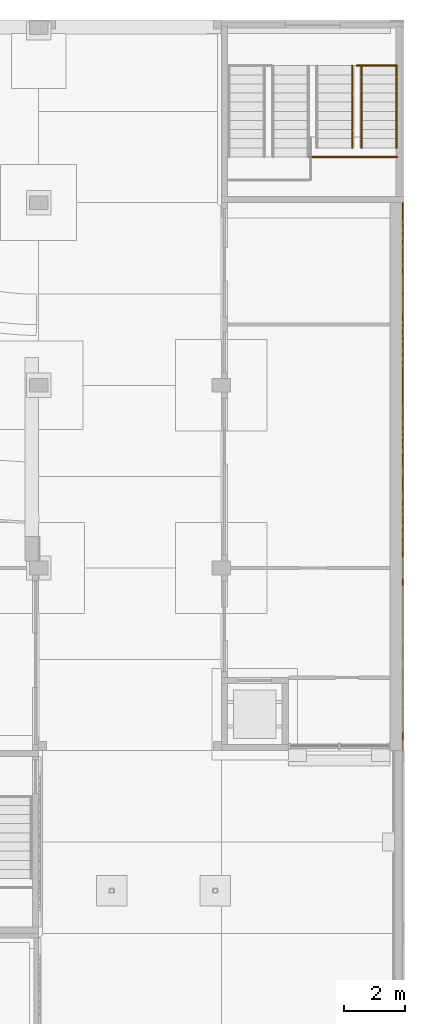
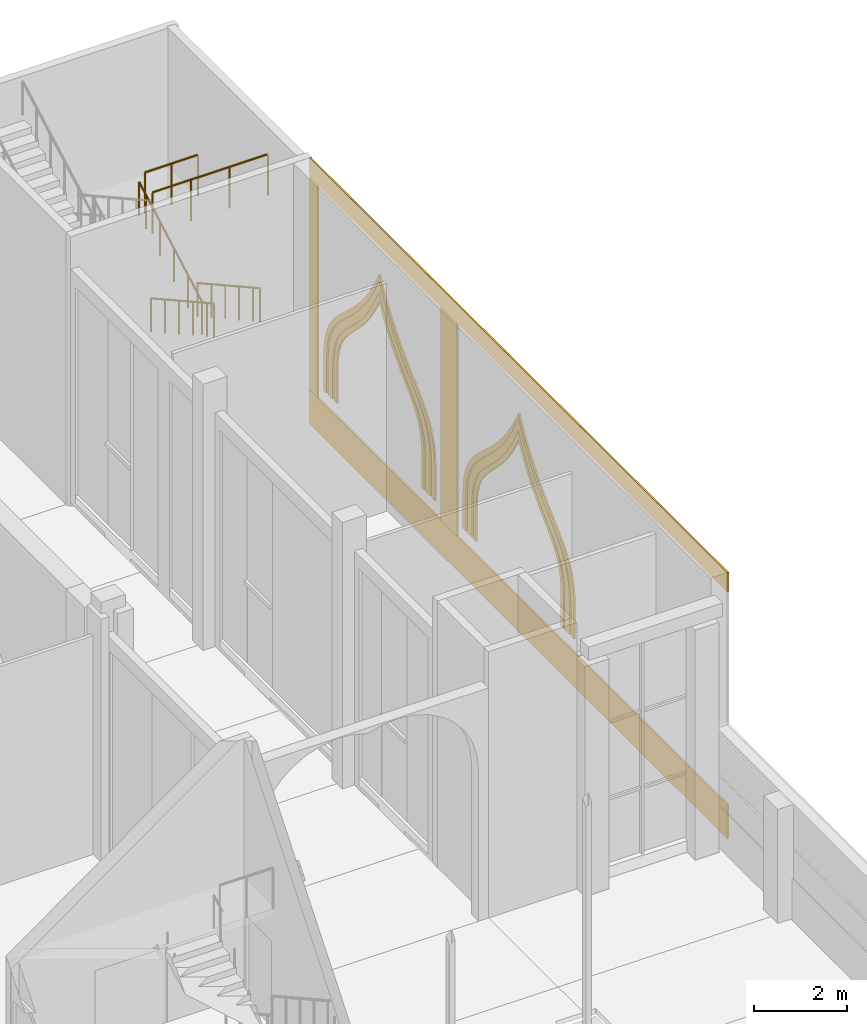
# One storey, part 93 of 95: 10 coverings, 5 railings.
"""IFC4 building model written with IfcOpenShell, lengths in metres."""

from ifc_helpers import new_model, si_unit, direction, frame, origin, origin_2d, place, context, subcontext, project, spatial, polyline, rectangle, circle, outline, extrude, material, layer, layer_set, type_object, element, save


model = new_model("IFC4")

# Units and contexts
model_context = context("Model", 3, precision=1e-05, world=origin(), true_north=direction((0.0, 1.0)))
body_context = subcontext(model_context, "Body", "Model", "MODEL_VIEW")
ifc_project = project(units=[si_unit("LENGTHUNIT", "METRE"), si_unit("AREAUNIT", "SQUARE_METRE"), si_unit("VOLUMEUNIT", "CUBIC_METRE"), si_unit("PLANEANGLEUNIT", "RADIAN"), si_unit("MASSUNIT", "GRAM", prefix="KILO")], contexts=[model_context])

# Site, building, storey
site_placement = place(None, origin())
site = spatial("IfcSite", under=ifc_project, at=site_placement, CompositionType="ELEMENT")
building_placement = place(site_placement, origin())
building = spatial("IfcBuilding", under=site, at=building_placement, Name="Saffron Lane Theatres", CompositionType="ELEMENT")
storey_placement = place(building_placement, origin())
storey = spatial("IfcBuildingStorey", under=building, at=storey_placement, Name="L00", CompositionType="ELEMENT", Elevation=0.0)

# Coverings
ifc_material_1 = material(Name="Face brick cladding, pale buff", Category="masonry")
ifc_layer_1 = layer(ifc_material_1, 0.0400390625)
ifc_layer_set_1 = layer_set([ifc_layer_1], Name="Face brick cladding, pale buff")
covering_type_1 = type_object("IfcCoveringType", Name="EX-FACE BRICK SKIN PALE BUFF 40", PredefinedType="CLADDING", material=ifc_layer_set_1)
covering_1_placement = place(storey_placement, frame((65.9599609375, 111.0, 0.0), z_axis=(0.0, 0.0, 1.0), x_axis=(0.0, 1.0, 0.0)))
element("IfcCovering", 1, at=covering_1_placement, inside=storey, type_object=covering_type_1, Name="Face brick cladding, pale buff L00", PredefinedType="CLADDING", context=body_context, shape_type="SweptSolid", body=[
    extrude(rectangle(XDim=18.0, YDim=0.0400390625, at=origin_2d()), origin(), (0.0, 0.0, 1.0), 0.89990234375),
])
covering_2_placement = place(storey_placement, frame((65.9599609375, 111.0, 6.5), z_axis=(0.0, 0.0, 1.0), x_axis=(0.0, 1.0, 0.0)))
element("IfcCovering", 2, at=covering_2_placement, inside=storey, type_object=covering_type_1, Name="Face brick cladding, pale buff L00", PredefinedType="CLADDING", context=body_context, shape_type="SweptSolid", body=[
    extrude(rectangle(XDim=18.0, YDim=0.0400390625, at=origin_2d()), origin(), (0.0, 0.0, 1.0), 0.5),
])
covering_3_placement = place(storey_placement, frame((65.9599609375, 114.0, 0.89990234375), z_axis=(0.0, 0.0, 1.0), x_axis=(0.0, 1.0, 0.0)))
element("IfcCovering", 3, at=covering_3_placement, inside=storey, type_object=covering_type_1, Name="Face brick cladding, pale buff L00", PredefinedType="CLADDING", context=body_context, shape_type="SweptSolid", body=[
    extrude(rectangle(XDim=0.699951171875, YDim=0.0400390625, at=origin_2d()), origin(), (0.0, 0.0, 1.0), 5.60009765625),
])
covering_4_placement = place(storey_placement, frame((65.9599609375, 119.824951171875, 0.89990234375), z_axis=(0.0, 0.0, 1.0), x_axis=(0.0, 1.0, 0.0)))
element("IfcCovering", 4, at=covering_4_placement, inside=storey, type_object=covering_type_1, Name="Face brick cladding, pale buff L00", PredefinedType="CLADDING", context=body_context, shape_type="SweptSolid", body=[
    extrude(rectangle(XDim=0.35009765625, YDim=0.0400390625, at=origin_2d()), origin(), (0.0, 0.0, 1.0), 5.60009765625),
])
ifc_material_2 = material(Name="Face brick cladding, pale buff", Category="masonry")
ifc_layer_2 = layer(ifc_material_2, 0.0400390625)
ifc_layer_set_2 = layer_set([ifc_layer_2], Name="Face brick cladding, pale buff")
covering_type_2 = type_object("IfcCoveringType", Name="EX-NICHE FRAME RING FACE BRICK PALE BUFF", PredefinedType="CLADDING", material=ifc_layer_set_2)
covering_5_placement = place(storey_placement, frame((65.93994140625, 109.06005859375, 2.15087890625), z_axis=(-1.0, 0.0, 0.0), x_axis=(0.0, 0.049137358924, 0.998792030384)))
element("IfcCovering", 5, at=covering_5_placement, inside=storey, type_object=covering_type_2, Name="Court wall niche ring", PredefinedType="CLADDING", context=body_context, shape_type="SweptSolid", body=[
    extrude(outline(polyline([(0.0, 0.0), (0.2434581525511307, 1.734723475976807e-18), (0.4610250809328312, 0.025228482865775993), (0.6554949729909108, 0.07285918867513211), (0.831185072962029, 0.14121310750547486), (0.9913772601130814, 0.227439986583571), (1.1415840143824045, 0.32931314243814785), (1.285586902883498, 0.4442021751554779), (1.4289223984057362, 0.5703680926853739), (1.57562791019868, 0.7054123443991328), (1.7306682446519874, 0.8459130111238047), (1.900199526656824, 0.992789410774137), (2.088650885479687, 1.141668234186046), (2.2994481574936954, 1.292625377112813), (2.53905521262832, 1.4428984789600046), (2.8117892951202217, 1.5908085298050278), (3.2277655948053288, 1.7834919337608668), (2.832711061224793, 2.0160754489918227), (2.575812260417544, 2.190041736063411), (2.3521124655206838, 2.363108046396087), (2.1571504751913277, 2.5340272413859313), (1.9842224909896318, 2.700684767416518), (1.8299266693935141, 2.8634924201556524), (1.6894260026688424, 3.01853275460896), (1.5566843301796374, 3.1673249099671215), (1.4264249384727563, 3.3069508169289725), (1.2943944826393017, 3.4354198033334438), (1.154912532783675, 3.5515447127042084), (1.004005578984078, 3.6540544135863064), (0.8358252413876509, 3.738347909555811), (0.6470176621743866, 3.805812379122698), (0.43292969719310215, 3.851299152314359), (0.19064719434280172, 3.875196031947562), (-0.7091434775604517, 3.9194628421114768), (-0.7150337224901218, 3.7997345982349193), (0.18183080088661707, 3.7556117451772284), (0.4141156296046592, 3.732206718990291), (0.6141445183530868, 3.689122658452513), (0.788377419861202, 3.628486113605838), (0.9426666311820339, 3.5500091702378174), (1.0822528764921697, 3.4558783605179877), (1.213987828537848, 3.3462454759529123), (1.3401620701181043, 3.2229533143972655), (1.4676512668302135, 3.0866413587786963), (1.6004409250214928, 2.938824586262706), (1.7427963860263584, 2.781737514720906), (1.89894700190267, 2.6168831248932793), (2.075816423949777, 2.4458762825496456), (2.2764387685238634, 2.2707676419786673), (2.505982781248404, 2.0922806610866234), (2.7685419363003834, 1.914124928433901), (2.970020678761497, 1.7961721555341075), (2.7579370961418737, 1.698565320313989), (2.4791587737886442, 1.5470416523127277), (2.2332516366566293, 1.392923084024274), (2.0163621390792184, 1.2373769410990973), (1.8235614639433089, 1.0845566798417767), (1.6519834448499797, 0.9358254859112508), (1.49489637330818, 0.7934700249063853), (1.3482388472173108, 0.659401156034798), (1.20798545375333, 0.5362612756357352), (1.0703186365261823, 0.4259492464912962), (0.9284587013427412, 0.3297763513581751), (0.7803070082122705, 0.24980132375038333), (0.6190598700906065, 0.1868477550035296), (0.4397164913115353, 0.14360602715893486), (0.2364245748220277, 0.12036405442904742), (0.0029640964031553557, 0.11987220098278169), (-0.8939004269735834, 0.16399505404047265), (-0.8997906719032535, 0.04426681016391508), (0.0, 0.0)])), origin(), (0.0, 0.0, -1.0), 0.0400390625),
])
covering_6_placement = place(storey_placement, frame((65.93994140625, 108.800048828125, 2.153076171875), z_axis=(-1.0, 0.0, 0.0), x_axis=(0.0, 0.052850824381, 0.998602418564)))
element("IfcCovering", 6, at=covering_6_placement, inside=storey, type_object=covering_type_2, Name="Court wall niche ring", PredefinedType="CLADDING", context=body_context, shape_type="SweptSolid", body=[
    extrude(outline(polyline([(0.0, 0.0), (0.2633074467244505, 0.0), (0.5011775819661587, 0.027505871452212175), (0.7152524864888075, 0.08120829603058993), (0.9086112315010562, 0.15923293837212052), (1.0849739652342758, 0.25796015808373945), (1.24951072939811, 0.37344909715401087), (1.4064937862275997, 0.5032733062162519), (1.5611318865322767, 0.6442233255148111), (1.7204048922183166, 0.7942183711539379), (1.8878923763648647, 0.9516021011226223), (2.0695861001704214, 1.1141015442397035), (2.2717345272853784, 1.2796746257093192), (2.4978785216889916, 1.4459336052646752), (2.752894071753157, 1.6126204222398495), (3.0451722237624352, 1.7766016768649358), (3.545308055566688, 2.0153953976478385), (3.073236321181458, 2.3068654123085715), (2.7998353068843773, 2.499562707087641), (2.5638388278986666, 2.692236233121165), (2.35650745604077, 2.8814368058769912), (2.1729652029387934, 3.067422486021041), (2.009438950014148, 3.2481926242854025), (1.8594995911502994, 3.4223761036056124), (1.7169489166160081, 3.5883451044653136), (1.5780525169325759, 3.74483037585238), (1.4356498877276818, 3.8904995098022344), (1.2842226053926875, 4.022710780024254), (1.1192661530932222, 4.139502246350416), (0.9352233981207594, 4.237500784234314), (0.728012907311637, 4.313499650348356), (0.49437496699105044, 4.365959988195231), (0.2325384660623556, 4.393753121915035), (-0.669275583319717, 4.441481442077317), (-0.6798431675892249, 4.241809718248197), (0.21587589632797843, 4.194403973918317), (0.4619170471811973, 4.168424735037138), (0.6716252935936389, 4.121142588184094), (0.8534188461304864, 4.0545568244130665), (1.014149894578986, 3.968793757628952), (1.1607222408595677, 3.8649548994110297), (1.297666207873195, 3.7454897887645124), (1.4317178581074486, 3.608330544826945), (1.5667277283406915, 3.456940613377808), (1.7073925226927051, 3.292293833877449), (1.8601542503133226, 3.116005122808928), (2.0275541296548605, 2.929895845188042), (2.2176001906450886, 2.737453894646832), (2.432615658384322, 2.5410011380715813), (2.6794527226598053, 2.340663889367188), (2.9621799136019056, 2.1394050924426464), (3.127923450932433, 2.0374853906507657), (2.9523478022302756, 1.9536299354734281), (2.6499563885449153, 1.7833384184595322), (2.3833518772598032, 1.6101749578767302), (2.1488012171102713, 1.4375153946994919), (1.9395038304422583, 1.2662086126972976), (1.7533945528213721, 1.09880873335576), (1.5829298635185025, 0.9406046421122496), (1.4256201562145168, 0.7907501716253487), (1.275384706691873, 0.6544567891326514), (1.1276558411637512, 0.5331886493597573), (0.9788152774511176, 0.42787069606189243), (0.8221011469997994, 0.3400832112643215), (0.6532153815081632, 0.2717650454965378), (0.4654090154553319, 0.22474028020240072), (0.25188147118724413, 0.1998577991513908), (0.004472598804638406, 0.19999429966152327), (-0.8912464651125649, 0.2474000439914031), (-0.9018140493820727, 0.047728320162282394), (0.0, 0.0)])), origin(), (0.0, 0.0, -1.0), 0.0400390625),
])
covering_7_placement = place(storey_placement, frame((65.93994140625, 108.60009765625, 2.152099609375), z_axis=(-1.0, 0.0, 0.0), x_axis=(0.0, 0.053339022878, 0.998576461088)))
element("IfcCovering", 7, at=covering_7_placement, inside=storey, type_object=covering_type_2, Name="Court wall niche ring", PredefinedType="CLADDING", context=body_context, shape_type="SweptSolid", body=[
    extrude(outline(polyline([(0.0, 0.0), (0.279206054433033, -1.734723475976807e-18), (0.5302189974084848, 0.030600087807743755), (0.7546412027165392, 0.08975876321599356), (0.957718918144801, 0.17499539960045762), (1.143645085821301, 0.28241870073845177), (1.3166126478740696, 0.4081373704072918), (1.483434788357691, 0.5515429932989544), (1.6489446730874813, 0.7069986549543668), (1.820160212532198, 0.8731515385991627), (1.9996980194744525, 1.048639434380536), (2.1966399198910627, 1.229554394709478), (2.4138853863131065, 1.4152525667547606), (2.6580522694594353, 1.6014686389885575), (2.935479189444375, 1.7878640336289293), (3.2496146869296125, 1.9703427280390193), (3.720787085433957, 2.204577498130685), (3.2772478428247567, 2.487671646600571), (2.9843385678225935, 2.7025756747424743), (2.728346225878845, 2.9174636919552195), (2.5054576541051206, 3.1296055145986967), (2.3091779657185065, 3.336414203479002), (2.132628865552507, 3.537279208497558), (1.972806703296986, 3.73089403783503), (1.8202650307484223, 3.91434043280346), (1.6723091017899112, 4.087517844767732), (1.52166056150505, 4.2469032288758095), (1.3630695329622904, 4.390332120984516), (1.189696787662284, 4.517925350239234), (0.9968024501369451, 4.623334903447199), (0.7799591782553628, 4.706063801367329), (0.5336342353375227, 4.763229222834873), (0.25601689203512473, 4.792971978755942), (-0.6447985434431664, 4.8410890904583725), (-0.6522602768681983, 4.701395654861875), (0.24441067622764878, 4.653499920939942), (0.5103780405162042, 4.625357404018502), (0.7388185620849336, 4.572081143983088), (0.9381774723673122, 4.4961539022485475), (1.1141401455679993, 4.398738926188011), (1.274163618572807, 4.282127273024531), (1.4241379920005675, 4.146737788664895), (1.5679899995971691, 3.992849703713629), (1.7132417893603356, 3.8239730408003876), (1.8648603784731472, 3.6415539070467675), (2.026567774267319, 3.4466159345236367), (2.2048718857481466, 3.2419898555062194), (2.4069729344977393, 3.029735956358632), (2.635747977746354, 2.8133678888544744), (2.8973178869717606, 2.59304768359683), (3.197946778097935, 2.371619095083306), (3.4372557318585164, 2.2197223427612474), (3.1831274890269294, 2.0941825685408717), (2.8606212642985676, 1.9060387804363907), (2.577069843691915, 1.7148362644254675), (2.3265476890649355, 1.5240698861248223), (2.102986017829387, 1.3345527872566518), (1.903898439426481, 1.1500851084869645), (1.7223451767217532, 0.9734824250780479), (1.5521568984918466, 0.808252624869004), (1.3897418196288687, 0.6558100066021677), (1.2303152340630905, 0.5181215662944257), (1.0667717049130208, 0.3994786599183697), (0.8952365873223002, 0.3005772291947563), (0.7098979140063897, 0.22246118670472007), (0.5035851369718871, 0.16820292301425147), (0.2707691486827202, 0.13956470772606377), (0.003317251042587765, 0.13991481337699654), (-0.8933537020532594, 0.18781054729892882), (-0.9008154354782912, 0.04811711170243062), (0.0, 0.0)])), origin(), (0.0, 0.0, -1.0), 0.0400390625),
])
covering_8_placement = place(storey_placement, frame((65.93994140625, 115.06005859375, 2.15087890625), z_axis=(-1.0, 0.0, 0.0), x_axis=(0.0, 0.049137358924, 0.998792030384)))
element("IfcCovering", 8, at=covering_8_placement, inside=storey, type_object=covering_type_2, Name="Court wall niche ring", PredefinedType="CLADDING", context=body_context, shape_type="SweptSolid", body=[
    extrude(outline(polyline([(0.0, 0.0), (0.2434581525511307, 1.734723475976807e-18), (0.4610250809328312, 0.025228482865775993), (0.6554949729909108, 0.07285918867513211), (0.831185072962029, 0.14121310750547486), (0.9913772601130814, 0.227439986583571), (1.1415840143824045, 0.32931314243814785), (1.285586902883498, 0.4442021751554779), (1.4289223984057362, 0.5703680926853739), (1.57562791019868, 0.7054123443991328), (1.7306682446519874, 0.8459130111238047), (1.900199526656824, 0.992789410774137), (2.088650885479687, 1.141668234186046), (2.2994481574936954, 1.292625377112813), (2.53905521262832, 1.4428984789600046), (2.8117892951202217, 1.5908085298050278), (3.2277655948053288, 1.7834919337608668), (2.832711061224793, 2.0160754489918227), (2.575812260417544, 2.190041736063411), (2.3521124655206838, 2.363108046396087), (2.1571504751913277, 2.5340272413859313), (1.9842224909896318, 2.700684767416518), (1.8299266693935141, 2.8634924201556524), (1.6894260026688424, 3.01853275460896), (1.5566843301796374, 3.1673249099671215), (1.4264249384727563, 3.3069508169289725), (1.2943944826393017, 3.4354198033334438), (1.154912532783675, 3.5515447127042084), (1.004005578984078, 3.6540544135863064), (0.8358252413876509, 3.738347909555811), (0.6470176621743866, 3.805812379122698), (0.43292969719310215, 3.851299152314359), (0.19064719434280172, 3.875196031947562), (-0.7091434775604517, 3.9194628421114768), (-0.7150337224901218, 3.7997345982349193), (0.18183080088661707, 3.7556117451772284), (0.4141156296046592, 3.732206718990291), (0.6141445183530868, 3.689122658452513), (0.788377419861202, 3.628486113605838), (0.9426666311820339, 3.5500091702378174), (1.0822528764921697, 3.4558783605179877), (1.213987828537848, 3.3462454759529123), (1.3401620701181043, 3.2229533143972655), (1.4676512668302135, 3.0866413587786963), (1.6004409250214928, 2.938824586262706), (1.7427963860263584, 2.781737514720906), (1.89894700190267, 2.6168831248932793), (2.075816423949777, 2.4458762825496456), (2.2764387685238634, 2.2707676419786673), (2.505982781248404, 2.0922806610866234), (2.7685419363003834, 1.914124928433901), (2.970020678761497, 1.7961721555341075), (2.7579370961418737, 1.698565320313989), (2.4791587737886442, 1.5470416523127277), (2.2332516366566293, 1.392923084024274), (2.0163621390792184, 1.2373769410990973), (1.8235614639433089, 1.0845566798417767), (1.6519834448499797, 0.9358254859112508), (1.49489637330818, 0.7934700249063853), (1.3482388472173108, 0.659401156034798), (1.20798545375333, 0.5362612756357352), (1.0703186365261823, 0.4259492464912962), (0.9284587013427412, 0.3297763513581751), (0.7803070082122705, 0.24980132375038333), (0.6190598700906065, 0.1868477550035296), (0.4397164913115353, 0.14360602715893486), (0.2364245748220277, 0.12036405442904742), (0.0029640964031553557, 0.11987220098278169), (-0.8939004269735834, 0.16399505404047265), (-0.8997906719032535, 0.04426681016391508), (0.0, 0.0)])), origin(), (0.0, 0.0, -1.0), 0.0400390625),
])
covering_9_placement = place(storey_placement, frame((65.93994140625, 114.800048828125, 2.153076171875), z_axis=(-1.0, 0.0, 0.0), x_axis=(0.0, 0.052850824381, 0.998602418564)))
element("IfcCovering", 9, at=covering_9_placement, inside=storey, type_object=covering_type_2, Name="Court wall niche ring", PredefinedType="CLADDING", context=body_context, shape_type="SweptSolid", body=[
    extrude(outline(polyline([(0.0, 0.0), (0.2633074467244505, 0.0), (0.5011775819661587, 0.027505871452212175), (0.7152524864888075, 0.08120829603058993), (0.9086112315010562, 0.15923293837212052), (1.0849739652342758, 0.25796015808373945), (1.24951072939811, 0.37344909715401087), (1.4064937862275997, 0.5032733062162519), (1.5611318865322767, 0.6442233255148111), (1.7204048922183166, 0.7942183711539379), (1.8878923763648647, 0.9516021011226223), (2.0695861001704214, 1.1141015442397035), (2.2717345272853784, 1.2796746257093192), (2.4978785216889916, 1.4459336052646752), (2.752894071753157, 1.6126204222398495), (3.0451722237624352, 1.7766016768649358), (3.545308055566688, 2.0153953976478385), (3.073236321181458, 2.3068654123085715), (2.7998353068843773, 2.499562707087641), (2.5638388278986666, 2.692236233121165), (2.35650745604077, 2.8814368058769912), (2.1729652029387934, 3.067422486021041), (2.009438950014148, 3.2481926242854025), (1.8594995911502994, 3.4223761036056124), (1.7169489166160081, 3.5883451044653136), (1.5780525169325759, 3.74483037585238), (1.4356498877276818, 3.8904995098022344), (1.2842226053926875, 4.022710780024254), (1.1192661530932222, 4.139502246350416), (0.9352233981207594, 4.237500784234314), (0.728012907311637, 4.313499650348356), (0.49437496699105044, 4.365959988195231), (0.2325384660623556, 4.393753121915035), (-0.669275583319717, 4.441481442077317), (-0.6798431675892249, 4.241809718248197), (0.21587589632797843, 4.194403973918317), (0.4619170471811973, 4.168424735037138), (0.6716252935936389, 4.121142588184094), (0.8534188461304864, 4.0545568244130665), (1.014149894578986, 3.968793757628952), (1.1607222408595677, 3.8649548994110297), (1.297666207873195, 3.7454897887645124), (1.4317178581074486, 3.608330544826945), (1.5667277283406915, 3.456940613377808), (1.7073925226927051, 3.292293833877449), (1.8601542503133226, 3.116005122808928), (2.0275541296548605, 2.929895845188042), (2.2176001906450886, 2.737453894646832), (2.432615658384322, 2.5410011380715813), (2.6794527226598053, 2.340663889367188), (2.9621799136019056, 2.1394050924426464), (3.127923450932433, 2.0374853906507657), (2.9523478022302756, 1.9536299354734281), (2.6499563885449153, 1.7833384184595322), (2.3833518772598032, 1.6101749578767302), (2.1488012171102713, 1.4375153946994919), (1.9395038304422583, 1.2662086126972976), (1.7533945528213721, 1.09880873335576), (1.5829298635185025, 0.9406046421122496), (1.4256201562145168, 0.7907501716253487), (1.275384706691873, 0.6544567891326514), (1.1276558411637512, 0.5331886493597573), (0.9788152774511176, 0.42787069606189243), (0.8221011469997994, 0.3400832112643215), (0.6532153815081632, 0.2717650454965378), (0.4654090154553319, 0.22474028020240072), (0.25188147118724413, 0.1998577991513908), (0.004472598804638406, 0.19999429966152327), (-0.8912464651125649, 0.2474000439914031), (-0.9018140493820727, 0.047728320162282394), (0.0, 0.0)])), origin(), (0.0, 0.0, -1.0), 0.0400390625),
])
covering_10_placement = place(storey_placement, frame((65.93994140625, 114.60009765625, 2.152099609375), z_axis=(-1.0, 0.0, 0.0), x_axis=(0.0, 0.053339022878, 0.998576461088)))
element("IfcCovering", 10, at=covering_10_placement, inside=storey, type_object=covering_type_2, Name="Court wall niche ring", PredefinedType="CLADDING", context=body_context, shape_type="SweptSolid", body=[
    extrude(outline(polyline([(0.0, 0.0), (0.279206054433033, -1.734723475976807e-18), (0.5302189974084848, 0.030600087807743755), (0.7546412027165392, 0.08975876321599356), (0.957718918144801, 0.17499539960045762), (1.143645085821301, 0.28241870073845177), (1.3166126478740696, 0.4081373704072918), (1.483434788357691, 0.5515429932989544), (1.6489446730874813, 0.7069986549543668), (1.820160212532198, 0.8731515385991627), (1.9996980194744525, 1.048639434380536), (2.1966399198910627, 1.229554394709478), (2.4138853863131065, 1.4152525667547606), (2.6580522694594353, 1.6014686389885575), (2.935479189444375, 1.7878640336289293), (3.2496146869296125, 1.9703427280390193), (3.720787085433957, 2.204577498130685), (3.2772478428247567, 2.487671646600571), (2.9843385678225935, 2.7025756747424743), (2.728346225878845, 2.9174636919552195), (2.5054576541051206, 3.1296055145986967), (2.3091779657185065, 3.336414203479002), (2.132628865552507, 3.537279208497558), (1.972806703296986, 3.73089403783503), (1.8202650307484223, 3.91434043280346), (1.6723091017899112, 4.087517844767732), (1.52166056150505, 4.2469032288758095), (1.3630695329622904, 4.390332120984516), (1.189696787662284, 4.517925350239234), (0.9968024501369451, 4.623334903447199), (0.7799591782553628, 4.706063801367329), (0.5336342353375227, 4.763229222834873), (0.25601689203512473, 4.792971978755942), (-0.6447985434431664, 4.8410890904583725), (-0.6522602768681983, 4.701395654861875), (0.24441067622764878, 4.653499920939942), (0.5103780405162042, 4.625357404018502), (0.7388185620849336, 4.572081143983088), (0.9381774723673122, 4.4961539022485475), (1.1141401455679993, 4.398738926188011), (1.274163618572807, 4.282127273024531), (1.4241379920005675, 4.146737788664895), (1.5679899995971691, 3.992849703713629), (1.7132417893603356, 3.8239730408003876), (1.8648603784731472, 3.6415539070467675), (2.026567774267319, 3.4466159345236367), (2.2048718857481466, 3.2419898555062194), (2.4069729344977393, 3.029735956358632), (2.635747977746354, 2.8133678888544744), (2.8973178869717606, 2.59304768359683), (3.197946778097935, 2.371619095083306), (3.4372557318585164, 2.2197223427612474), (3.1831274890269294, 2.0941825685408717), (2.8606212642985676, 1.9060387804363907), (2.577069843691915, 1.7148362644254675), (2.3265476890649355, 1.5240698861248223), (2.102986017829387, 1.3345527872566518), (1.903898439426481, 1.1500851084869645), (1.7223451767217532, 0.9734824250780479), (1.5521568984918466, 0.808252624869004), (1.3897418196288687, 0.6558100066021677), (1.2303152340630905, 0.5181215662944257), (1.0667717049130208, 0.3994786599183697), (0.8952365873223002, 0.3005772291947563), (0.7098979140063897, 0.22246118670472007), (0.5035851369718871, 0.16820292301425147), (0.2707691486827202, 0.13956470772606377), (0.003317251042587765, 0.13991481337699654), (-0.8933537020532594, 0.18781054729892882), (-0.9008154354782912, 0.04811711170243062), (0.0, 0.0)])), origin(), (0.0, 0.0, -1.0), 0.0400390625),
])

# Railings
ifc_material_3 = material(Name="Steel Grade 350", Category="steel")
railing_type_1 = type_object("IfcRailingType", Name="VC-GUARD 1100", PredefinedType="GUARDRAIL", material=ifc_material_3)
railing_1_placement = place(storey_placement, frame((65.77001953125, 121.5, 5.166748046875)))
element("IfcRailing", 11, at=railing_1_placement, inside=storey, type_object=railing_type_1, Name="East Wing Street Stair landing guard 1N2s", PredefinedType="GUARDRAIL", context=body_context, shape_type="SweptSolid", body=[
    extrude(circle(Radius=0.02392578125, at=origin_2d()), frame((0.0, 0.0, 1.076171875), z_axis=(-1.0, 0.0, 0.0), x_axis=(0.0, -1.0, 0.0)), (0.0, 0.0, 1.0), 2.8701171875),
    extrude(circle(Radius=0.02099609375, at=origin_2d()), origin(), (0.0, 0.0, 1.0), 1.052001953125),
    extrude(circle(Radius=0.02099609375, at=origin_2d()), frame((-0.956787109375, 0.0, 0.0)), (0.0, 0.0, 1.0), 1.052001953125),
    extrude(circle(Radius=0.02099609375, at=origin_2d()), frame((-1.913330078125, 0.0, 0.0)), (0.0, 0.0, 1.0), 1.052001953125),
    extrude(circle(Radius=0.02099609375, at=origin_2d()), frame((-2.8701171875, 0.0, 0.0)), (0.0, 0.0, 1.0), 1.052001953125),
])
railing_2_placement = place(storey_placement, frame((65.77001953125, 124.5, 3.333251953125)))
element("IfcRailing", 12, at=railing_2_placement, inside=storey, type_object=railing_type_1, Name="East Wing Street Stair landing guard 1S2w", PredefinedType="GUARDRAIL", context=body_context, shape_type="SweptSolid", body=[
    extrude(circle(Radius=0.02392578125, at=origin_2d()), frame((0.0, 0.0, 1.076171875), z_axis=(-1.0, 0.0, 0.0), x_axis=(0.0, -1.0, 0.0)), (0.0, 0.0, 1.0), 1.320068359375),
    extrude(circle(Radius=0.02099609375, at=origin_2d()), origin(), (0.0, 0.0, 1.0), 1.052001953125),
    extrude(circle(Radius=0.02099609375, at=origin_2d()), frame((-0.66015625, 0.0, 0.0)), (0.0, 0.0, 1.0), 1.052001953125),
    extrude(circle(Radius=0.02099609375, at=origin_2d()), frame((-1.320068359375, 0.0, 0.0)), (0.0, 0.0, 1.0), 1.052001953125),
])
ifc_material_4 = material(Name="Steel Grade 350", Category="steel")
railing_type_2 = type_object("IfcRailingType", Name="VC-HANDRAIL 900", PredefinedType="HANDRAIL", material=ifc_material_4)
railing_3_placement = place(storey_placement, frame((65.75, 124.5, 0.166748046875)))
element("IfcRailing", 13, at=railing_3_placement, inside=storey, type_object=railing_type_2, Name="East Wing Street Stair handrail 1.1a", PredefinedType="HANDRAIL", context=body_context, shape_type="SweptSolid", body=[
    extrude(circle(Radius=0.02392578125, at=origin_2d()), frame((0.0, 0.0, 0.8759765625), z_axis=(0.0, -0.874241147926, 0.485491931212), x_axis=(1.0, 0.0, 0.0)), (0.0, 0.0, 1.0), 0.6865234375),
    extrude(circle(Radius=0.02392578125, at=origin_2d()), frame((0.0, -0.60009765625, 1.208984375), z_axis=(0.0, -0.874157276122, 0.485642931179), x_axis=(1.0, 0.0, 0.0)), (0.0, 0.0, 1.0), 0.686279296875),
    extrude(circle(Radius=0.02392578125, at=origin_2d()), frame((0.0, -1.199951171875, 1.54248046875), z_axis=(0.0, -0.874090171491, 0.485763699861), x_axis=(1.0, 0.0, 0.0)), (0.0, 0.0, 1.0), 0.6865234375),
    extrude(circle(Radius=0.02392578125, at=origin_2d()), frame((0.0, -1.800048828125, 1.8759765625), z_axis=(0.0, -0.874157276122, 0.485642931179), x_axis=(1.0, 0.0, 0.0)), (0.0, 0.0, 1.0), 0.686279296875),
    extrude(circle(Radius=0.02392578125, at=origin_2d()), frame((0.0, -2.39990234375, 2.208984375), z_axis=(0.0, -0.874090171491, 0.485763699861), x_axis=(1.0, 0.0, 0.0)), (0.0, 0.0, 1.0), 0.34326171875),
    extrude(circle(Radius=0.02099609375, at=origin_2d()), origin(), (0.0, 0.0, 1.0), 0.851806640625),
    extrude(circle(Radius=0.02099609375, at=origin_2d()), frame((0.0, -0.60009765625, 0.333251953125)), (0.0, 0.0, 1.0), 0.851806640625),
    extrude(circle(Radius=0.02099609375, at=origin_2d()), frame((0.0, -1.199951171875, 0.66650390625)), (0.0, 0.0, 1.0), 0.851806640625),
    extrude(circle(Radius=0.02099609375, at=origin_2d()), frame((0.0, -1.800048828125, 1.0)), (0.0, 0.0, 1.0), 0.851806640625),
    extrude(circle(Radius=0.02099609375, at=origin_2d()), frame((0.0, -2.39990234375, 1.333251953125)), (0.0, 0.0, 1.0), 0.851806640625),
    extrude(circle(Radius=0.02099609375, at=origin_2d()), frame((0.0, -2.699951171875, 1.5)), (0.0, 0.0, 1.0), 0.851806640625),
])
railing_4_placement = place(storey_placement, frame((64.60009765625, 124.5, 0.166748046875)))
element("IfcRailing", 14, at=railing_4_placement, inside=storey, type_object=railing_type_2, Name="East Wing Street Stair handrail 1.1b", PredefinedType="HANDRAIL", context=body_context, shape_type="SweptSolid", body=[
    extrude(circle(Radius=0.02392578125, at=origin_2d()), frame((0.0, 0.0, 0.8759765625), z_axis=(0.0, -0.874241147926, 0.485491931212), x_axis=(1.0, 0.0, 0.0)), (0.0, 0.0, 1.0), 0.6865234375),
    extrude(circle(Radius=0.02392578125, at=origin_2d()), frame((0.0, -0.60009765625, 1.208984375), z_axis=(0.0, -0.874157276122, 0.485642931179), x_axis=(1.0, 0.0, 0.0)), (0.0, 0.0, 1.0), 0.686279296875),
    extrude(circle(Radius=0.02392578125, at=origin_2d()), frame((0.0, -1.199951171875, 1.54248046875), z_axis=(0.0, -0.874090171491, 0.485763699861), x_axis=(1.0, 0.0, 0.0)), (0.0, 0.0, 1.0), 0.6865234375),
    extrude(circle(Radius=0.02392578125, at=origin_2d()), frame((0.0, -1.800048828125, 1.8759765625), z_axis=(0.0, -0.874157276122, 0.485642931179), x_axis=(1.0, 0.0, 0.0)), (0.0, 0.0, 1.0), 0.686279296875),
    extrude(circle(Radius=0.02392578125, at=origin_2d()), frame((0.0, -2.39990234375, 2.208984375), z_axis=(0.0, -0.874090171491, 0.485763699861), x_axis=(1.0, 0.0, 0.0)), (0.0, 0.0, 1.0), 0.34326171875),
    extrude(circle(Radius=0.02099609375, at=origin_2d()), origin(), (0.0, 0.0, 1.0), 0.851806640625),
    extrude(circle(Radius=0.02099609375, at=origin_2d()), frame((0.0, -0.60009765625, 0.333251953125)), (0.0, 0.0, 1.0), 0.851806640625),
    extrude(circle(Radius=0.02099609375, at=origin_2d()), frame((0.0, -1.199951171875, 0.66650390625)), (0.0, 0.0, 1.0), 0.851806640625),
    extrude(circle(Radius=0.02099609375, at=origin_2d()), frame((0.0, -1.800048828125, 1.0)), (0.0, 0.0, 1.0), 0.851806640625),
    extrude(circle(Radius=0.02099609375, at=origin_2d()), frame((0.0, -2.39990234375, 1.333251953125)), (0.0, 0.0, 1.0), 0.851806640625),
    extrude(circle(Radius=0.02099609375, at=origin_2d()), frame((0.0, -2.699951171875, 1.5)), (0.0, 0.0, 1.0), 0.851806640625),
])
railing_5_placement = place(storey_placement, frame((64.300048828125, 121.800048828125, 1.833251953125)))
element("IfcRailing", 15, at=railing_5_placement, inside=storey, type_object=railing_type_2, Name="East Wing Street Stair handrail 1.2a", PredefinedType="HANDRAIL", context=body_context, shape_type="SweptSolid", body=[
    extrude(circle(Radius=0.02392578125, at=origin_2d()), frame((0.0, 0.0, 0.8759765625), z_axis=(0.0, 0.874006220275, 0.485914732151), x_axis=(-1.0, 0.0, 0.0)), (0.0, 0.0, 1.0), 0.686279296875),
    extrude(circle(Radius=0.02392578125, at=origin_2d()), frame((0.0, 0.599853515625, 1.20947265625), z_axis=(0.0, 0.874241147926, 0.485491931212), x_axis=(-1.0, 0.0, 0.0)), (0.0, 0.0, 1.0), 0.6865234375),
    extrude(circle(Radius=0.02392578125, at=origin_2d()), frame((0.0, 1.199951171875, 1.54248046875), z_axis=(0.0, 0.874241147926, 0.485491931212), x_axis=(-1.0, 0.0, 0.0)), (0.0, 0.0, 1.0), 0.6865234375),
    extrude(circle(Radius=0.02392578125, at=origin_2d()), frame((0.0, 1.800048828125, 1.8759765625), z_axis=(0.0, 0.874006220275, 0.485914732151), x_axis=(-1.0, 0.0, 0.0)), (0.0, 0.0, 1.0), 0.686279296875),
    extrude(circle(Radius=0.02392578125, at=origin_2d()), frame((0.0, 2.39990234375, 2.20947265625), z_axis=(0.0, 0.87439209197, 0.485220021744), x_axis=(-1.0, 0.0, 0.0)), (0.0, 0.0, 1.0), 0.34326171875),
    extrude(circle(Radius=0.02099609375, at=origin_2d()), origin(), (0.0, 0.0, 1.0), 0.851806640625),
    extrude(circle(Radius=0.02099609375, at=origin_2d()), frame((0.0, 0.599853515625, 0.33349609375)), (0.0, 0.0, 1.0), 0.851806640625),
    extrude(circle(Radius=0.02099609375, at=origin_2d()), frame((0.0, 1.199951171875, 0.666748046875)), (0.0, 0.0, 1.0), 0.851806640625),
    extrude(circle(Radius=0.02099609375, at=origin_2d()), frame((0.0, 1.800048828125, 1.0)), (0.0, 0.0, 1.0), 0.851806640625),
    extrude(circle(Radius=0.02099609375, at=origin_2d()), frame((0.0, 2.39990234375, 1.33349609375)), (0.0, 0.0, 1.0), 0.851806640625),
    extrude(circle(Radius=0.02099609375, at=origin_2d()), frame((0.0, 2.699951171875, 1.5)), (0.0, 0.0, 1.0), 0.851806640625),
])

save(model, "model.ifc")
